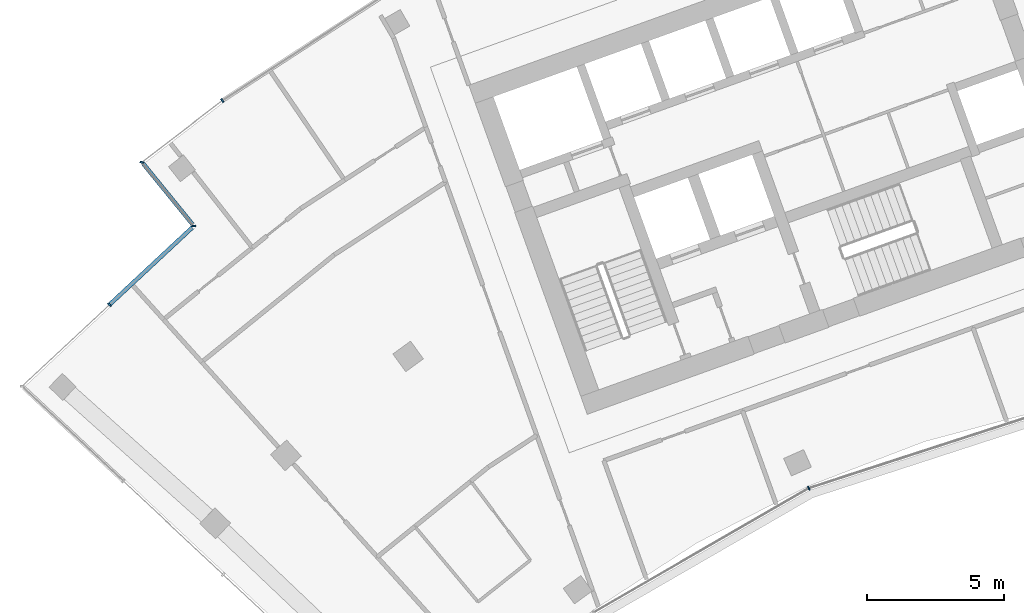
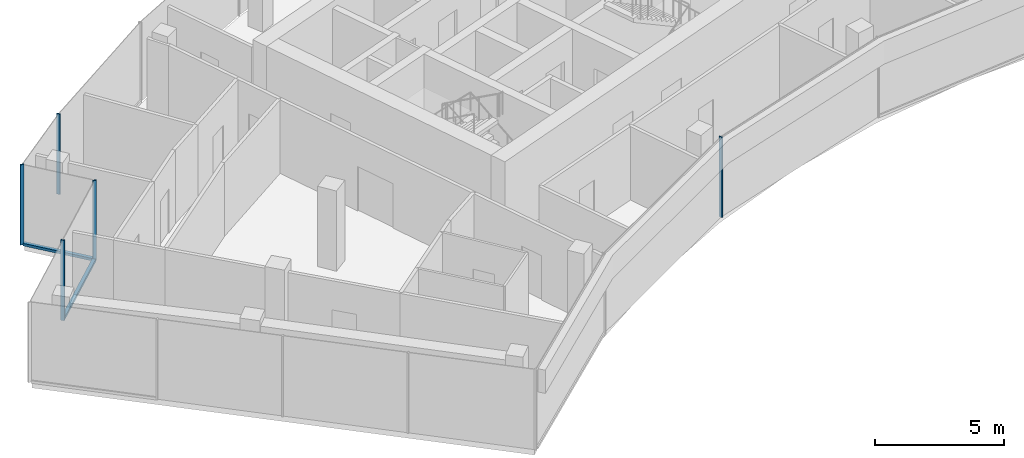
# One storey, part 3 of 18: 7 members, 4 elements without a shape of their own.
"""IFC4 building model written with IfcOpenShell, lengths in metres."""

import ifcopenshell
import ifcopenshell.guid

model = None  # the IFC model being written
_history = None  # IfcOwnerHistory: only IFC2X3 demands one
_inside = {}  # id of a spatial element -> (the spatial element, [elements in it])
_under = {}  # id of a project, library or spatial element -> (it, [spatial elements below it])
_declared = {}  # id of a project -> (the project, [libraries it declares])
_typed = {}  # id of a type object -> (the type object, [elements of that type])
_made_of = {}  # id of a material, layer set ... -> (it, [elements and type objects made of it])


def new_model(schema):
    """Start an empty IFC model of exactly this schema.

    Asked for "IFC4X3", IfcOpenShell would pick the latest addendum, in which some entities
    have other attributes; the version numbers below select the first issue.
    IFC2X3 requires an IfcOwnerHistory on every rooted entity: one is made here for all.
    """
    global model, _history
    if schema == "IFC4X3":
        model = ifcopenshell.file(schema_version=(4, 3, 0, 0))
    else:
        model = ifcopenshell.file(schema=schema)
    _inside.clear()
    _under.clear()
    _declared.clear()
    _typed.clear()
    _made_of.clear()
    _history = None
    if model.schema == "IFC2X3":
        org = make("IfcOrganization", Name="unknown")
        user = make(
            "IfcPersonAndOrganization",
            ThePerson=make("IfcPerson", FamilyName="unknown"),
            TheOrganization=org,
        )
        app = make(
            "IfcApplication",
            ApplicationDeveloper=org,
            Version="unknown",
            ApplicationFullName="unknown",
            ApplicationIdentifier="unknown",
        )
        _history = make(
            "IfcOwnerHistory",
            OwningUser=user,
            OwningApplication=app,
            ChangeAction="ADDED",
            CreationDate=0,
        )
    return model


def make(cls, **values):
    """One entity of the class cls with the attributes given. An attribute that is None is left unset."""
    return model.create_entity(
        cls, **{name: value for name, value in values.items() if value is not None}
    )


def rooted(cls, **values):
    """An entity with a GlobalId (a new one), such as an element, a storey or a relation."""
    return make(cls, GlobalId=ifcopenshell.guid.new(), OwnerHistory=_history, **values)


def si_unit(unit_type, name, prefix=None):
    """IfcSIUnit, for example si_unit("LENGTHUNIT", "METRE", prefix="MILLI")."""
    return make("IfcSIUnit", UnitType=unit_type, Prefix=prefix, Name=name)


def assignment(units):
    """IfcUnitAssignment: the units of a project."""
    return None if units is None else make("IfcUnitAssignment", Units=units)


def point(xyz):
    """IfcCartesianPoint."""
    return None if xyz is None else make("IfcCartesianPoint", Coordinates=xyz)


def direction(xyz):
    """IfcDirection."""
    return None if xyz is None else make("IfcDirection", DirectionRatios=xyz)


def frame(location, z_axis=None, x_axis=None):
    """IfcAxis2Placement3D, a coordinate frame: its origin and axes. An axis left out is left unset."""
    return make(
        "IfcAxis2Placement3D",
        Location=point(location),
        Axis=direction(z_axis),
        RefDirection=direction(x_axis),
    )


def frame_2d(location, x_axis=None):
    """IfcAxis2Placement2D, a coordinate frame in the plane: its origin and x axis."""
    return make(
        "IfcAxis2Placement2D", Location=point(location), RefDirection=direction(x_axis)
    )


def origin():
    """The frame at (0, 0, 0) with its axes left unset."""
    return frame((0.0, 0.0, 0.0))


def origin_2d():
    """The frame at (0, 0) in the plane with its x axis left unset."""
    return frame_2d((0.0, 0.0))


def place(relative_to, where):
    """IfcLocalPlacement: puts the frame where relative to a parent placement (None: the world)."""
    return make(
        "IfcLocalPlacement", PlacementRelTo=relative_to, RelativePlacement=where
    )


def context(
    kind, dimensions, precision=None, world=None, true_north=None, identifier=None
):
    """IfcGeometricRepresentationContext, for example the 3D "Model" context."""
    return make(
        "IfcGeometricRepresentationContext",
        ContextIdentifier=identifier,
        ContextType=kind,
        CoordinateSpaceDimension=dimensions,
        Precision=precision,
        WorldCoordinateSystem=world,
        TrueNorth=true_north,
    )


def subcontext(parent, identifier, kind, view, scale=None):
    """IfcGeometricRepresentationSubContext, for example "Body" below "Model"."""
    return make(
        "IfcGeometricRepresentationSubContext",
        ContextIdentifier=identifier,
        ContextType=kind,
        ParentContext=parent,
        TargetScale=scale,
        TargetView=view,
    )


def project(units=None, contexts=None):
    """IfcProject with its units and contexts."""
    return rooted(
        "IfcProject",
        Name="project",
        RepresentationContexts=contexts,
        UnitsInContext=assignment(units),
    )


def spatial(cls, under=None, at=None, **own):
    """A site, building, storey or space (cls), placed at a placement, below another one or the project."""
    s = rooted(cls, ObjectPlacement=at, **own)
    if under is not None:
        _under.setdefault(under.id(), (under, []))[1].append(s)
    return s


def profile(cls, at=None, kind="AREA", **sizes):
    """A parametric profile (cls). Its sizes go by their IFC names, for example OverallWidth=200.0."""
    return make(cls, ProfileType=kind, Position=at, **sizes)


def rectangle(**sizes):
    """IfcRectangleProfileDef."""
    return profile("IfcRectangleProfileDef", **sizes)


def extrude(swept, where, along, depth):
    """IfcExtrudedAreaSolid: the profile swept, set in the frame where, extruded along a direction by depth."""
    return make(
        "IfcExtrudedAreaSolid",
        SweptArea=swept,
        Position=where,
        ExtrudedDirection=direction(along),
        Depth=depth,
    )


def shape(context_of_items, identifier, shape_type, items):
    """IfcShapeRepresentation: the items that make up one representation, for example the "Body"."""
    return make(
        "IfcShapeRepresentation",
        ContextOfItems=context_of_items,
        RepresentationIdentifier=identifier,
        RepresentationType=shape_type,
        Items=items,
    )


def material(Name=None, Category=None):
    """IfcMaterial."""
    return make("IfcMaterial", Name=Name, Category=Category)


def layer(
    of_material, thickness, ventilated=None, Name=None, Category=None, Priority=None
):
    """IfcMaterialLayer: one layer of a wall or slab, of a material (None: an air gap)."""
    return make(
        "IfcMaterialLayer",
        Material=of_material,
        LayerThickness=thickness,
        IsVentilated=ventilated,
        Name=Name,
        Category=Category,
        Priority=Priority,
    )


def layer_set(layers, Name=None):
    """IfcMaterialLayerSet."""
    return make("IfcMaterialLayerSet", MaterialLayers=layers, LayerSetName=Name)


def material_profile(
    of_material, cross_section, Name=None, Category=None, Priority=None
):
    """IfcMaterialProfile: a cross section and its material."""
    return make(
        "IfcMaterialProfile",
        Name=Name,
        Material=of_material,
        Profile=cross_section,
        Priority=Priority,
        Category=Category,
    )


def profile_set(profiles, Name=None, composite=None):
    """IfcMaterialProfileSet."""
    return make(
        "IfcMaterialProfileSet",
        Name=Name,
        MaterialProfiles=profiles,
        CompositeProfile=composite,
    )


def made_of(thing, what):
    """Note that an element or type object is made of a material, layer set ...; save() writes the relation."""
    if what is not None:
        _made_of.setdefault(what.id(), (what, []))[1].append(thing)
    return thing


def type_object(cls, material=None, **own):
    """A type object (cls), such as IfcWallType, which elements share."""
    return made_of(rooted(cls, **own), material)


def element(
    cls,
    number,
    at=None,
    inside=None,
    cuts=None,
    type_object=None,
    material=None,
    context=None,
    identifier="Body",
    shape_type=None,
    held_by="IfcProductDefinitionShape",
    body=None,
    shapes=None,
    **own,
):
    """One element of the class cls, such as IfcWall. Its Tag is "e" and its number.

    at: its placement. inside: the storey or other place that contains it. cuts: it is an
    opening in that element (IfcRelVoidsElement). A single representation is given by context,
    identifier, shape_type and body (its items); several are given by shapes. held_by: the class
    of the entity that holds the representations. save() writes the other relations.
    """
    e = rooted(cls, Tag="e%d" % number, ObjectPlacement=at, **own)
    if body is not None:
        shapes = [shape(context, identifier, shape_type, body)]
    if shapes is not None:
        e.Representation = make(held_by, Representations=shapes)
    if inside is not None:
        _inside.setdefault(inside.id(), (inside, []))[1].append(e)
    if cuts is not None:
        rooted(
            "IfcRelVoidsElement", RelatingBuildingElement=cuts, RelatedOpeningElement=e
        )
    if type_object is not None:
        _typed.setdefault(type_object.id(), (type_object, []))[1].append(e)
    return made_of(e, material)


def aggregate(whole, parts):
    """IfcRelAggregates: a whole, such as a stair, and the parts it consists of."""
    return rooted("IfcRelAggregates", RelatingObject=whole, RelatedObjects=parts)


def save(model, path):
    """Write the relations noted so far, then the file.

    IfcRelAggregates (storeys below a building ...), IfcRelContainedInSpatialStructure (elements
    in a storey), IfcRelDefinesByType, IfcRelAssociatesMaterial and IfcRelDeclares: one each for
    every whole, place, type object, material and project.
    """
    for whole, parts in _under.values():
        aggregate(whole, parts)
    for where, things in _inside.values():
        rooted(
            "IfcRelContainedInSpatialStructure",
            RelatedElements=things,
            RelatingStructure=where,
        )
    for kind, things in _typed.values():
        rooted("IfcRelDefinesByType", RelatedObjects=things, RelatingType=kind)
    for what, things in _made_of.values():
        rooted("IfcRelAssociatesMaterial", RelatedObjects=things, RelatingMaterial=what)
    for by, libraries in _declared.values():
        rooted("IfcRelDeclares", RelatingContext=by, RelatedDefinitions=libraries)
    model.write(path)


model = new_model("IFC4")

# Units and contexts
model_context = context("Model", 3, precision=1e-05, world=origin(), true_north=direction((0.0, 1.0)))
body_context = subcontext(model_context, "Body", "Model", "MODEL_VIEW")
ifc_project = project(units=[si_unit("LENGTHUNIT", "METRE"), si_unit("AREAUNIT", "SQUARE_METRE"), si_unit("VOLUMEUNIT", "CUBIC_METRE"), si_unit("PLANEANGLEUNIT", "RADIAN"), si_unit("MASSUNIT", "GRAM", prefix="KILO")], contexts=[model_context])

# Site, building, storey
site_placement = place(None, origin())
site = spatial("IfcSite", under=ifc_project, at=site_placement, CompositionType="ELEMENT")
building_placement = place(site_placement, origin())
building = spatial("IfcBuilding", under=site, at=building_placement, Name="Stone Belt Terrace Tower", CompositionType="ELEMENT")
storey_placement = place(building_placement, frame((0.0, 0.0, 265.60009765625)))
storey = spatial("IfcBuildingStorey", under=building, at=storey_placement, Name="L64", CompositionType="ELEMENT", Elevation=265.60009765625)

# Curtain wall, member
ifc_material = material(Name="Aluminium 6063-T6 anodised frame", Category="aluminium")
ifc_layer_1 = layer(ifc_material, 0.14990234375)
ifc_layer_set_1 = layer_set([ifc_layer_1], Name="CW-A unitised convex-face curtain wall")
curtain_wall_type_1 = type_object("IfcCurtainWallType", Name="CW-A unitised convex-face curtain wall", PredefinedType="NOTDEFINED", material=ifc_layer_set_1)
curtain_wall_1_placement = place(storey_placement, origin())
curtain_wall_1 = element("IfcCurtainWall", 1, at=curtain_wall_1_placement, inside=storey, type_object=curtain_wall_type_1, Name="CW-A convex face L64", PredefinedType="NOTDEFINED")
ifc_material_profile_1 = material_profile(ifc_material, rectangle(XDim=0.14990234375, YDim=0.06005859375, at=origin_2d()), Name="Aluminium 6063-T6 60x150")
ifc_profile_set_1 = profile_set([ifc_material_profile_1], Name="Aluminium 6063-T6 anodised frame")
member_type_1 = type_object("IfcMemberType", Name="CW-A mullion 60 x 150", PredefinedType="MULLION", material=ifc_profile_set_1)
member_1_placement = place(storey_placement, frame((-39.131103515625, 53.86083984375, 0.0), z_axis=(0.0, 0.0, 1.0), x_axis=(0.577587125789, -0.816329046477, 0.0)))
member_1 = element("IfcMember", 2, at=member_1_placement, type_object=member_type_1, Name="CW-A mullion 14", PredefinedType="MULLION", context=body_context, shape_type="SweptSolid", body=[
    extrude(rectangle(XDim=0.14990234375, YDim=0.06005859375, at=origin_2d()), origin(), (0.0, 0.0, 1.0), 3.7998046875),
])
aggregate(curtain_wall_1, [member_1])

ifc_layer_2 = layer(ifc_material, 0.14990234375)
ifc_layer_set_2 = layer_set([ifc_layer_2], Name="CW-B unitised concave-face curtain wall")
curtain_wall_type_2 = type_object("IfcCurtainWallType", Name="CW-B unitised concave-face curtain wall", PredefinedType="NOTDEFINED", material=ifc_layer_set_2)
curtain_wall_2_placement = place(storey_placement, origin())
curtain_wall_2 = element("IfcCurtainWall", 3, at=curtain_wall_2_placement, inside=storey, type_object=curtain_wall_type_2, Name="CW-B concave face L64", PredefinedType="NOTDEFINED")
ifc_material_profile_2 = material_profile(ifc_material, rectangle(XDim=0.14990234375, YDim=0.050048828125, at=origin_2d()), Name="Aluminium 6063-T6 50x150")
ifc_profile_set_2 = profile_set([ifc_material_profile_2], Name="Aluminium 6063-T6 anodised frame")
member_type_2 = type_object("IfcMemberType", Name="CW-B mullion 50 x 150", PredefinedType="MULLION", material=ifc_profile_set_2)
member_2_placement = place(storey_placement, frame((-17.662353515625, 39.67041015625, 0.0), z_axis=(0.0, 0.0, 1.0), x_axis=(-0.406736643076, 0.913545457643, 0.0)))
member_2 = element("IfcMember", 4, at=member_2_placement, type_object=member_type_2, Name="CW-B mullion 3", PredefinedType="MULLION", context=body_context, shape_type="SweptSolid", body=[
    extrude(rectangle(XDim=0.14990234375, YDim=0.050048828125, at=origin_2d()), origin(), (0.0, 0.0, 1.0), 3.7998046875),
])
aggregate(curtain_wall_2, [member_2])

ifc_layer_3 = layer(ifc_material, 0.14990234375)
ifc_layer_set_3 = layer_set([ifc_layer_3], Name="CW-C stick curtain wall, horn ends and notches")
curtain_wall_type_3 = type_object("IfcCurtainWallType", Name="CW-C stick curtain wall, horn ends and notches", PredefinedType="NOTDEFINED", material=ifc_layer_set_3)
curtain_wall_3_placement = place(storey_placement, origin())
curtain_wall_3 = element("IfcCurtainWall", 5, at=curtain_wall_3_placement, inside=storey, type_object=curtain_wall_type_3, Name="CW-C notch face L64", PredefinedType="NOTDEFINED")
ifc_material_profile_3 = material_profile(ifc_material, rectangle(XDim=0.14990234375, YDim=0.06005859375, at=origin_2d()), Name="Aluminium 6063-T6 60x150")
ifc_profile_set_3 = profile_set([ifc_material_profile_3], Name="Aluminium 6063-T6 anodised frame")
member_type_3 = type_object("IfcMemberType", Name="CW-C mullion 60 x 150", PredefinedType="MULLION", material=ifc_profile_set_3)
member_3_placement = place(storey_placement, frame((-42.068359375, 51.60205078125, 0.0), z_axis=(0.0, 0.0, 1.0), x_axis=(0.993258004644, -0.115924700604, 0.0)))
member_3 = element("IfcMember", 6, at=member_3_placement, type_object=member_type_3, Name="CW-C mullion 1", PredefinedType="MULLION", context=body_context, shape_type="SweptSolid", body=[
    extrude(rectangle(XDim=0.14990234375, YDim=0.06005859375, at=origin_2d()), origin(), (0.0, 0.0, 1.0), 3.7998046875),
])

# Curtain wall, members
curtain_wall_4_placement = place(storey_placement, origin())
curtain_wall_4 = element("IfcCurtainWall", 7, at=curtain_wall_4_placement, inside=storey, type_object=curtain_wall_type_3, Name="CW-C notch face L64", PredefinedType="NOTDEFINED")
member_4_placement = place(storey_placement, frame((-40.1708984375, 49.269287109375, 0.0), z_axis=(0.0, 0.0, 1.0), x_axis=(0.997639702696, -0.068666029474, 0.0)))
member_4 = element("IfcMember", 8, at=member_4_placement, type_object=member_type_3, Name="CW-C mullion 1", PredefinedType="MULLION", context=body_context, shape_type="SweptSolid", body=[
    extrude(rectangle(XDim=0.14990234375, YDim=0.06005859375, at=origin_2d()), origin(), (0.0, 0.0, 1.0), 3.7998046875),
])
member_5_placement = place(storey_placement, frame((-43.260009765625, 46.388671875, 0.0), z_axis=(0.0, 0.0, 1.0), x_axis=(0.682013767261, -0.731339333871, 0.0)))
member_5 = element("IfcMember", 9, at=member_5_placement, type_object=member_type_3, Name="CW-C mullion 2", PredefinedType="MULLION", context=body_context, shape_type="SweptSolid", body=[
    extrude(rectangle(XDim=0.14990234375, YDim=0.06005859375, at=origin_2d()), origin(), (0.0, 0.0, 1.0), 3.7998046875),
])

# Member
ifc_material_profile_4 = material_profile(ifc_material, rectangle(XDim=0.14990234375, YDim=0.1201171875, at=origin_2d()), Name="Aluminium 6063-T6 150x120")
ifc_profile_set_4 = profile_set([ifc_material_profile_4], Name="Aluminium 6063-T6 anodised frame")
member_type_4 = type_object("IfcMemberType", Name="CW-C transom 120 x 150", PredefinedType="USERDEFINED", material=ifc_profile_set_4)
member_6_placement = place(storey_placement, frame((-42.021240234375, 51.5439453125, 0.059814453125), z_axis=(0.631026504781, -0.775761271439, 0.0), x_axis=(0.775761271439, 0.631026504781, 0.0)))
member_6 = element("IfcMember", 10, at=member_6_placement, type_object=member_type_4, Name="CW-C transom 1.1", ObjectType="TRANSOM", PredefinedType="USERDEFINED", context=body_context, shape_type="SweptSolid", body=[
    extrude(rectangle(XDim=0.14990234375, YDim=0.1201171875, at=origin_2d()), origin(), (0.0, 0.0, 1.0), 2.859130859375),
])

aggregate(curtain_wall_3, [member_3, member_6])

member_7_placement = place(storey_placement, frame((-40.224365234375, 49.21923828125, 0.059814453125), z_axis=(-0.731382255625, -0.681967738355, 0.0), x_axis=(0.681967738355, -0.731382255625, 0.0)))
member_7 = element("IfcMember", 11, at=member_7_placement, type_object=member_type_4, Name="CW-C transom 1.1", ObjectType="TRANSOM", PredefinedType="USERDEFINED", context=body_context, shape_type="SweptSolid", body=[
    extrude(rectangle(XDim=0.14990234375, YDim=0.1201171875, at=origin_2d()), origin(), (0.0, 0.0, 1.0), 4.12060546875),
])

aggregate(curtain_wall_4, [member_4, member_5, member_7])

save(model, "model.ifc")
